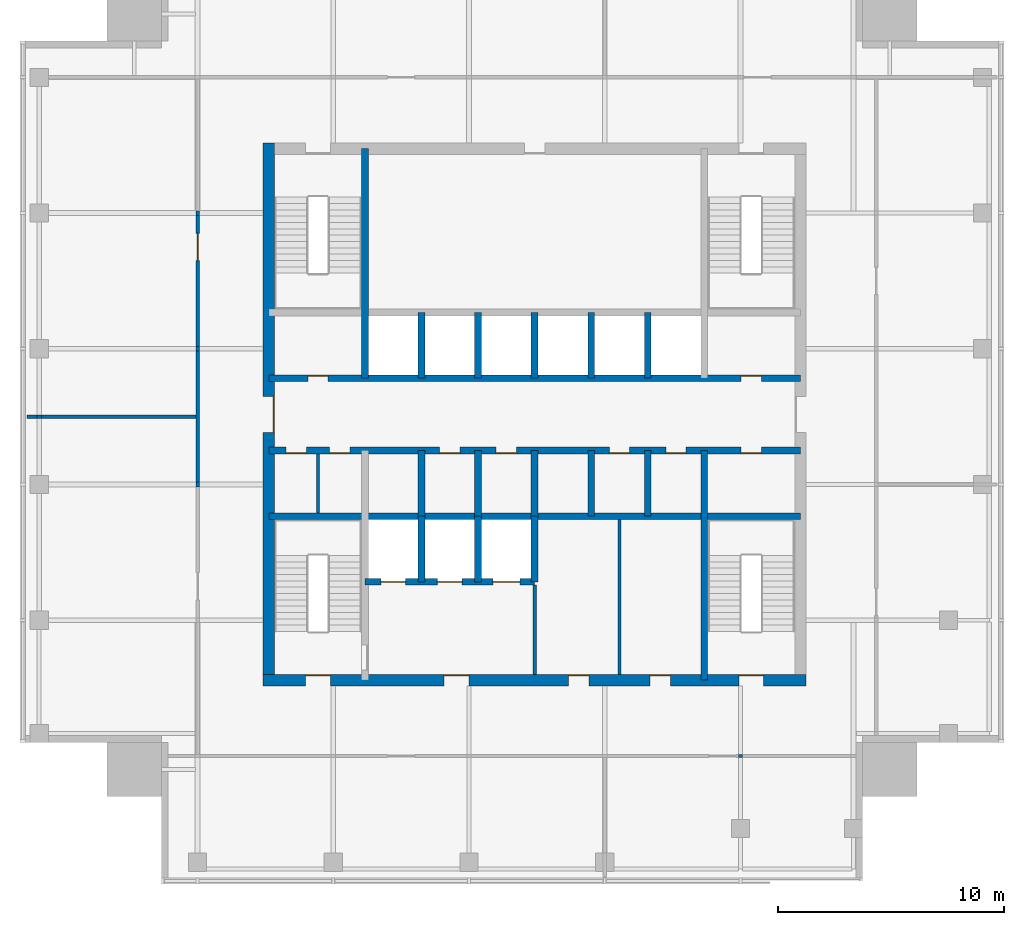
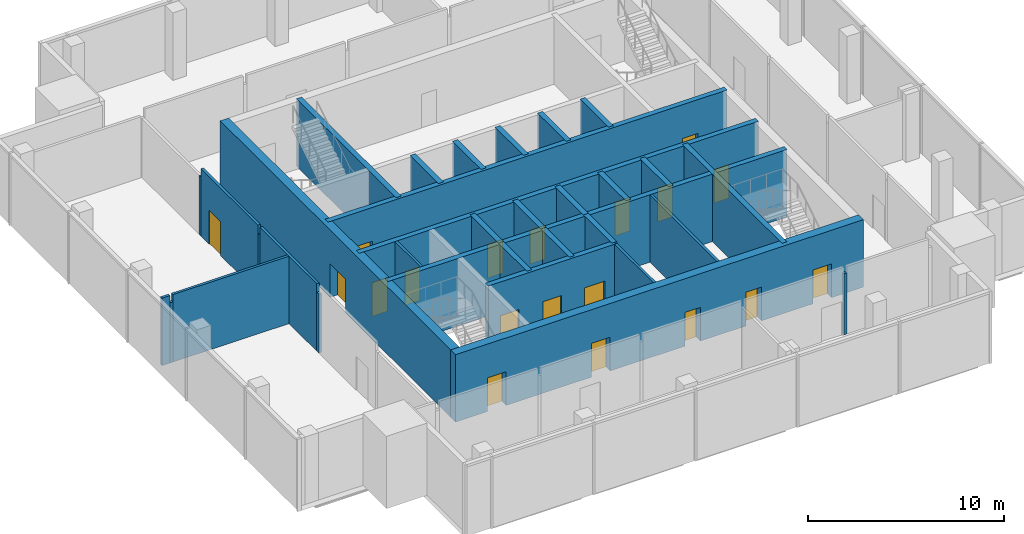
# One storey, part 4 of 7: 33 walls, 19 doors, 19 openings.
"""IFC4 building model written with IfcOpenShell, lengths in metres."""

from ifc_helpers import new_model, si_unit, direction, frame, frame_2d, origin, place, context, subcontext, project, spatial, rectangle, extrude, material, layer, layer_set, type_object, element, fill, save


model = new_model("IFC4")

# Units and contexts
model_context = context("Model", 3, precision=1e-05, world=origin(), true_north=direction((0.0, 1.0)))
body_context = subcontext(model_context, "Body", "Model", "MODEL_VIEW")
ifc_project = project(units=[si_unit("LENGTHUNIT", "METRE"), si_unit("AREAUNIT", "SQUARE_METRE"), si_unit("VOLUMEUNIT", "CUBIC_METRE"), si_unit("PLANEANGLEUNIT", "RADIAN"), si_unit("MASSUNIT", "GRAM", prefix="KILO")], contexts=[model_context])

# Site, building, storey
site_placement = place(None, origin())
site = spatial("IfcSite", under=ifc_project, at=site_placement, CompositionType="ELEMENT")
building_placement = place(site_placement, origin())
building = spatial("IfcBuilding", under=site, at=building_placement, Name="Amberfall Residences", CompositionType="ELEMENT")
storey_placement = place(building_placement, frame((0.0, 0.0, 281.800048828125)))
storey = spatial("IfcBuildingStorey", under=building, at=storey_placement, Name="L76 Crown", CompositionType="ELEMENT", Elevation=281.800048828125)

# Wall
ifc_material_1 = material(Name="Concrete C50", Category="concrete")
ifc_layer_1 = layer(ifc_material_1, 0.300048828125)
ifc_layer_set_1 = layer_set([ifc_layer_1], Name="Core wall 300 C50")
wall_type_1 = type_object("IfcWallType", Name="Core wall 300 C50", PredefinedType="SHEAR", material=ifc_layer_set_1)
wall_1_placement = place(storey_placement, frame((62.75, 41.0, 0.0), z_axis=(0.0, 0.0, 1.0), x_axis=(1.0, 0.0, 0.0)))
element("IfcWall", 1, at=wall_1_placement, inside=storey, type_object=wall_type_1, Name="Core wall RW10 L76 Crown H75", PredefinedType="SHEAR", context=body_context, shape_type="SweptSolid", body=[
    extrude(rectangle(XDim=23.5, YDim=0.300048828125, at=frame_2d((11.75, 0.0))), origin(), (0.0, 0.0, 1.0), 4.199951171875),
])

# Wall, openings, doors
wall_2_placement = place(storey_placement, frame((62.75, 43.89990234375, 0.0), z_axis=(0.0, 0.0, 1.0), x_axis=(1.0, 0.0, 0.0)))
wall_2 = element("IfcWall", 2, at=wall_2_placement, inside=storey, type_object=wall_type_1, Name="Core wall RW10 L76 Crown H104", PredefinedType="SHEAR", context=body_context, shape_type="SweptSolid", body=[
    extrude(rectangle(XDim=23.5, YDim=0.300048828125, at=frame_2d((11.75, 0.0))), origin(), (0.0, 0.0, 1.0), 4.199951171875),
])
opening_1_placement = place(wall_2_placement, frame((0.762451171875, 0.0, 0.0)))
opening_1 = element("IfcOpeningElement", 3, at=opening_1_placement, cuts=wall_2, Name="Opening RD1", PredefinedType="OPENING", context=body_context, shape_type="SweptSolid", body=[
    extrude(rectangle(XDim=0.89990234375, YDim=2.10009765625, at=frame_2d((0.449951171875, 1.050048828125))), frame((0.0, 0.159912109375, 0.0), z_axis=(0.0, -1.0, 0.0), x_axis=(1.0, 0.0, 0.0)), (0.0, 0.0, 1.0), 0.320068359375),
])
opening_2_placement = place(wall_2_placement, frame((2.6875, 0.0, 0.0)))
opening_2 = element("IfcOpeningElement", 4, at=opening_2_placement, cuts=wall_2, Name="Opening RD1", PredefinedType="OPENING", context=body_context, shape_type="SweptSolid", body=[
    extrude(rectangle(XDim=0.89990234375, YDim=2.10009765625, at=frame_2d((0.449951171875, 1.050048828125))), frame((0.0, 0.159912109375, 0.0), z_axis=(0.0, -1.0, 0.0), x_axis=(1.0, 0.0, 0.0)), (0.0, 0.0, 1.0), 0.320068359375),
])
opening_3_placement = place(wall_2_placement, frame((20.875, 0.0, 0.0)))
opening_3 = element("IfcOpeningElement", 5, at=opening_3_placement, cuts=wall_2, Name="Opening RD1", PredefinedType="OPENING", context=body_context, shape_type="SweptSolid", body=[
    extrude(rectangle(XDim=0.89990234375, YDim=2.10009765625, at=frame_2d((0.449951171875, 1.050048828125))), frame((0.0, 0.159912109375, 0.0), z_axis=(0.0, -1.0, 0.0), x_axis=(1.0, 0.0, 0.0)), (0.0, 0.0, 1.0), 0.320068359375),
])
opening_4_placement = place(wall_2_placement, frame((7.550048828125, 0.0, 0.0)))
opening_4 = element("IfcOpeningElement", 6, at=opening_4_placement, cuts=wall_2, Name="Opening RD1", PredefinedType="OPENING", context=body_context, shape_type="SweptSolid", body=[
    extrude(rectangle(XDim=0.89990234375, YDim=2.10009765625, at=frame_2d((0.449951171875, 1.050048828125))), frame((0.0, 0.159912109375, 0.0), z_axis=(0.0, -1.0, 0.0), x_axis=(1.0, 0.0, 0.0)), (0.0, 0.0, 1.0), 0.320068359375),
])
opening_5_placement = place(wall_2_placement, frame((10.050048828125, 0.0, 0.0)))
opening_5 = element("IfcOpeningElement", 7, at=opening_5_placement, cuts=wall_2, Name="Opening RD1", PredefinedType="OPENING", context=body_context, shape_type="SweptSolid", body=[
    extrude(rectangle(XDim=0.89990234375, YDim=2.10009765625, at=frame_2d((0.449951171875, 1.050048828125))), frame((0.0, 0.159912109375, 0.0), z_axis=(0.0, -1.0, 0.0), x_axis=(1.0, 0.0, 0.0)), (0.0, 0.0, 1.0), 0.320068359375),
])
opening_6_placement = place(wall_2_placement, frame((15.050048828125, 0.0, 0.0)))
opening_6 = element("IfcOpeningElement", 8, at=opening_6_placement, cuts=wall_2, Name="Opening RD1", PredefinedType="OPENING", context=body_context, shape_type="SweptSolid", body=[
    extrude(rectangle(XDim=0.89990234375, YDim=2.10009765625, at=frame_2d((0.449951171875, 1.050048828125))), frame((0.0, 0.159912109375, 0.0), z_axis=(0.0, -1.0, 0.0), x_axis=(1.0, 0.0, 0.0)), (0.0, 0.0, 1.0), 0.320068359375),
])
opening_7_placement = place(wall_2_placement, frame((17.550048828125, 0.0, 0.0)))
opening_7 = element("IfcOpeningElement", 9, at=opening_7_placement, cuts=wall_2, Name="Opening RD1", PredefinedType="OPENING", context=body_context, shape_type="SweptSolid", body=[
    extrude(rectangle(XDim=0.89990234375, YDim=2.10009765625, at=frame_2d((0.449951171875, 1.050048828125))), frame((0.0, 0.159912109375, 0.0), z_axis=(0.0, -1.0, 0.0), x_axis=(1.0, 0.0, 0.0)), (0.0, 0.0, 1.0), 0.320068359375),
])
ifc_material_2 = material(Name="Steel fire door set", Category="steel")
door_type_1 = type_object("IfcDoorType", Name="Service room door 900 x 2100", OperationType="SINGLE_SWING_LEFT", PredefinedType="DOOR", material=ifc_material_2)
door_1_placement = place(opening_1_placement, origin())
door_1 = element("IfcDoor", 10, at=door_1_placement, inside=storey, type_object=door_type_1, Name="RD1 L76 Crown", OperationType="SINGLE_SWING_LEFT", OverallHeight=2.10009765625, OverallWidth=0.89990234375, PredefinedType="DOOR", context=body_context, shape_type="SweptSolid", body=[
    extrude(rectangle(XDim=0.89990234375, YDim=2.10009765625, at=frame_2d((0.449951171875, 1.050048828125))), frame((0.0, -0.08740234375, 0.0), z_axis=(0.0, -1.0, 0.0), x_axis=(1.0, 0.0, 0.0)), (0.0, 0.0, 1.0), 0.050048828125),
])
fill(opening_1, door_1)
door_2_placement = place(opening_2_placement, origin())
door_2 = element("IfcDoor", 11, at=door_2_placement, inside=storey, type_object=door_type_1, Name="RD1 L76 Crown", OperationType="SINGLE_SWING_RIGHT", OverallHeight=2.10009765625, OverallWidth=0.89990234375, PredefinedType="DOOR", context=body_context, shape_type="SweptSolid", body=[
    extrude(rectangle(XDim=0.89990234375, YDim=2.10009765625, at=frame_2d((0.449951171875, 1.050048828125))), frame((0.0, -0.08740234375, 0.0), z_axis=(0.0, -1.0, 0.0), x_axis=(1.0, 0.0, 0.0)), (0.0, 0.0, 1.0), 0.050048828125),
])
fill(opening_2, door_2)
door_3_placement = place(opening_3_placement, origin())
door_3 = element("IfcDoor", 12, at=door_3_placement, inside=storey, type_object=door_type_1, Name="RD1 L76 Crown", OperationType="SINGLE_SWING_LEFT", OverallHeight=2.10009765625, OverallWidth=0.89990234375, PredefinedType="DOOR", context=body_context, shape_type="SweptSolid", body=[
    extrude(rectangle(XDim=0.89990234375, YDim=2.10009765625, at=frame_2d((0.449951171875, 1.050048828125))), frame((0.0, -0.08740234375, 0.0), z_axis=(0.0, -1.0, 0.0), x_axis=(1.0, 0.0, 0.0)), (0.0, 0.0, 1.0), 0.050048828125),
])
fill(opening_3, door_3)
door_4_placement = place(opening_4_placement, origin())
door_4 = element("IfcDoor", 13, at=door_4_placement, inside=storey, type_object=door_type_1, Name="RD1 L76 Crown", OperationType="SINGLE_SWING_LEFT", OverallHeight=2.10009765625, OverallWidth=0.89990234375, PredefinedType="DOOR", context=body_context, shape_type="SweptSolid", body=[
    extrude(rectangle(XDim=0.89990234375, YDim=2.10009765625, at=frame_2d((0.449951171875, 1.050048828125))), frame((0.0, -0.08740234375, 0.0), z_axis=(0.0, -1.0, 0.0), x_axis=(1.0, 0.0, 0.0)), (0.0, 0.0, 1.0), 0.050048828125),
])
fill(opening_4, door_4)
door_5_placement = place(opening_5_placement, origin())
door_5 = element("IfcDoor", 14, at=door_5_placement, inside=storey, type_object=door_type_1, Name="RD1 L76 Crown", OperationType="SINGLE_SWING_RIGHT", OverallHeight=2.10009765625, OverallWidth=0.89990234375, PredefinedType="DOOR", context=body_context, shape_type="SweptSolid", body=[
    extrude(rectangle(XDim=0.89990234375, YDim=2.10009765625, at=frame_2d((0.449951171875, 1.050048828125))), frame((0.0, -0.08740234375, 0.0), z_axis=(0.0, -1.0, 0.0), x_axis=(1.0, 0.0, 0.0)), (0.0, 0.0, 1.0), 0.050048828125),
])
fill(opening_5, door_5)
door_6_placement = place(opening_6_placement, origin())
door_6 = element("IfcDoor", 15, at=door_6_placement, inside=storey, type_object=door_type_1, Name="RD1 L76 Crown", OperationType="SINGLE_SWING_RIGHT", OverallHeight=2.10009765625, OverallWidth=0.89990234375, PredefinedType="DOOR", context=body_context, shape_type="SweptSolid", body=[
    extrude(rectangle(XDim=0.89990234375, YDim=2.10009765625, at=frame_2d((0.449951171875, 1.050048828125))), frame((0.0, -0.08740234375, 0.0), z_axis=(0.0, -1.0, 0.0), x_axis=(1.0, 0.0, 0.0)), (0.0, 0.0, 1.0), 0.050048828125),
])
fill(opening_6, door_6)
door_7_placement = place(opening_7_placement, origin())
door_7 = element("IfcDoor", 16, at=door_7_placement, inside=storey, type_object=door_type_1, Name="RD1 L76 Crown", OperationType="SINGLE_SWING_LEFT", OverallHeight=2.10009765625, OverallWidth=0.89990234375, PredefinedType="DOOR", context=body_context, shape_type="SweptSolid", body=[
    extrude(rectangle(XDim=0.89990234375, YDim=2.10009765625, at=frame_2d((0.449951171875, 1.050048828125))), frame((0.0, -0.08740234375, 0.0), z_axis=(0.0, -1.0, 0.0), x_axis=(1.0, 0.0, 0.0)), (0.0, 0.0, 1.0), 0.050048828125),
])
fill(opening_7, door_7)

wall_3_placement = place(storey_placement, frame((62.75, 47.10009765625, 0.0), z_axis=(0.0, 0.0, 1.0), x_axis=(1.0, 0.0, 0.0)))
wall_3 = element("IfcWall", 17, at=wall_3_placement, inside=storey, type_object=wall_type_1, Name="Core wall RW10 L76 Crown H136", PredefinedType="SHEAR", context=body_context, shape_type="SweptSolid", body=[
    extrude(rectangle(XDim=23.5, YDim=0.300048828125, at=frame_2d((11.75, 0.0))), origin(), (0.0, 0.0, 1.0), 4.199951171875),
])
opening_8_placement = place(wall_3_placement, frame((1.72509765625, 0.0, 0.0)))
opening_8 = element("IfcOpeningElement", 18, at=opening_8_placement, cuts=wall_3, Name="Opening RD1", PredefinedType="OPENING", context=body_context, shape_type="SweptSolid", body=[
    extrude(rectangle(XDim=0.89990234375, YDim=2.10009765625, at=frame_2d((0.449951171875, 1.050048828125))), frame((0.0, 0.159912109375, 0.0), z_axis=(0.0, -1.0, 0.0), x_axis=(1.0, 0.0, 0.0)), (0.0, 0.0, 1.0), 0.320068359375),
])
opening_9_placement = place(wall_3_placement, frame((20.875, 0.0, 0.0)))
opening_9 = element("IfcOpeningElement", 19, at=opening_9_placement, cuts=wall_3, Name="Opening RD1", PredefinedType="OPENING", context=body_context, shape_type="SweptSolid", body=[
    extrude(rectangle(XDim=0.89990234375, YDim=2.10009765625, at=frame_2d((0.449951171875, 1.050048828125))), frame((0.0, 0.159912109375, 0.0), z_axis=(0.0, -1.0, 0.0), x_axis=(1.0, 0.0, 0.0)), (0.0, 0.0, 1.0), 0.320068359375),
])
door_8_placement = place(opening_8_placement, origin())
door_8 = element("IfcDoor", 20, at=door_8_placement, inside=storey, type_object=door_type_1, Name="RD1 L76 Crown", OperationType="SINGLE_SWING_LEFT", OverallHeight=2.10009765625, OverallWidth=0.89990234375, PredefinedType="DOOR", context=body_context, shape_type="SweptSolid", body=[
    extrude(rectangle(XDim=0.89990234375, YDim=2.10009765625, at=frame_2d((0.449951171875, 1.050048828125))), frame((0.0, 0.1376953125, 0.0), z_axis=(0.0, -1.0, 0.0), x_axis=(1.0, 0.0, 0.0)), (0.0, 0.0, 1.0), 0.050048828125),
])
fill(opening_8, door_8)
door_9_placement = place(opening_9_placement, origin())
door_9 = element("IfcDoor", 21, at=door_9_placement, inside=storey, type_object=door_type_1, Name="RD1 L76 Crown", OperationType="SINGLE_SWING_LEFT", OverallHeight=2.10009765625, OverallWidth=0.89990234375, PredefinedType="DOOR", context=body_context, shape_type="SweptSolid", body=[
    extrude(rectangle(XDim=0.89990234375, YDim=2.10009765625, at=frame_2d((0.449951171875, 1.050048828125))), frame((0.0, 0.1376953125, 0.0), z_axis=(0.0, -1.0, 0.0), x_axis=(1.0, 0.0, 0.0)), (0.0, 0.0, 1.0), 0.050048828125),
])
fill(opening_9, door_9)

# Walls
for number, where, z_axis, x_axis, name in (
    (22, (67.0, 47.10009765625, 0.0), (0.0, 0.0, 1.0), (0.0, 1.0, 0.0), "Core wall RW10 L76 Crown V45N"),
    (23, (82.0, 33.75, 0.0), (0.0, 0.0, 1.0), (0.0, 1.0, 0.0), "Core wall RW10 L76 Crown V195S"),
):
    element("IfcWall", number, at=place(storey_placement, frame(where, z_axis=z_axis, x_axis=x_axis)), inside=storey, type_object=wall_type_1, Name=name, PredefinedType="SHEAR", context=body_context, shape_type="SweptSolid", body=[
        extrude(rectangle(XDim=10.14990234375, YDim=0.300048828125, at=frame_2d((5.074951171875, 0.0))), origin(), (0.0, 0.0, 1.0), 4.199951171875),
    ])
for number, where, z_axis, x_axis, name in (
    (24, (69.5, 41.0, 0.0), (0.0, 0.0, 1.0), (0.0, 1.0, 0.0), "Core wall RW10 L76 Crown LPD1"),
    (25, (69.5, 47.10009765625, 0.0), (0.0, 0.0, 1.0), (0.0, 1.0, 0.0), "Core wall RW10 L76 Crown HPD1"),
    (26, (72.0, 41.0, 0.0), (0.0, 0.0, 1.0), (0.0, 1.0, 0.0), "Core wall RW10 L76 Crown LPD2"),
    (27, (72.0, 47.10009765625, 0.0), (0.0, 0.0, 1.0), (0.0, 1.0, 0.0), "Core wall RW10 L76 Crown HPD2"),
    (28, (74.5, 41.0, 0.0), (0.0, 0.0, 1.0), (0.0, 1.0, 0.0), "Core wall RW10 L76 Crown LPD3"),
    (29, (74.5, 47.10009765625, 0.0), (0.0, 0.0, 1.0), (0.0, 1.0, 0.0), "Core wall RW10 L76 Crown HPD3"),
    (30, (77.0, 41.0, 0.0), (0.0, 0.0, 1.0), (0.0, 1.0, 0.0), "Core wall RW10 L76 Crown LPD4"),
    (31, (77.0, 47.10009765625, 0.0), (0.0, 0.0, 1.0), (0.0, 1.0, 0.0), "Core wall RW10 L76 Crown HPD4"),
    (32, (79.5, 41.0, 0.0), (0.0, 0.0, 1.0), (0.0, 1.0, 0.0), "Core wall RW10 L76 Crown LPD5"),
    (33, (79.5, 47.10009765625, 0.0), (0.0, 0.0, 1.0), (0.0, 1.0, 0.0), "Core wall RW10 L76 Crown HPD5"),
):
    element("IfcWall", number, at=place(storey_placement, frame(where, z_axis=z_axis, x_axis=x_axis)), inside=storey, type_object=wall_type_1, Name=name, PredefinedType="SHEAR", context=body_context, shape_type="SweptSolid", body=[
        extrude(rectangle(XDim=2.89990234375, YDim=0.300048828125, at=frame_2d((1.449951171875, 0.0))), origin(), (0.0, 0.0, 1.0), 4.199951171875),
    ])

# Wall, openings, doors
wall_4_placement = place(storey_placement, frame((67.0, 38.10009765625, 0.0), z_axis=(0.0, 0.0, 1.0), x_axis=(1.0, 0.0, 0.0)))
wall_4 = element("IfcWall", 34, at=wall_4_placement, inside=storey, type_object=wall_type_1, Name="Core wall RW10 L76 Crown FFF", PredefinedType="SHEAR", context=body_context, shape_type="SweptSolid", body=[
    extrude(rectangle(XDim=7.5, YDim=0.300048828125, at=frame_2d((3.75, 0.0))), origin(), (0.0, 0.0, 1.0), 4.199951171875),
])
opening_10_placement = place(wall_4_placement, frame((0.699951171875, 0.0, 0.0)))
opening_10 = element("IfcOpeningElement", 35, at=opening_10_placement, cuts=wall_4, Name="Opening LD2", PredefinedType="OPENING", context=body_context, shape_type="SweptSolid", body=[
    extrude(rectangle(XDim=1.10009765625, YDim=2.10009765625, at=frame_2d((0.550048828125, 1.050048828125))), frame((0.0, 0.159912109375, 0.0), z_axis=(0.0, -1.0, 0.0), x_axis=(1.0, 0.0, 0.0)), (0.0, 0.0, 1.0), 0.320068359375),
])
opening_11_placement = place(wall_4_placement, frame((3.199951171875, 0.0, 0.0)))
opening_11 = element("IfcOpeningElement", 36, at=opening_11_placement, cuts=wall_4, Name="Opening LD2", PredefinedType="OPENING", context=body_context, shape_type="SweptSolid", body=[
    extrude(rectangle(XDim=1.10009765625, YDim=2.10009765625, at=frame_2d((0.550048828125, 1.050048828125))), frame((0.0, 0.159912109375, 0.0), z_axis=(0.0, -1.0, 0.0), x_axis=(1.0, 0.0, 0.0)), (0.0, 0.0, 1.0), 0.320068359375),
])
opening_12_placement = place(wall_4_placement, frame((5.64990234375, 0.0, 0.0)))
opening_12 = element("IfcOpeningElement", 37, at=opening_12_placement, cuts=wall_4, Name="Opening LD3", PredefinedType="OPENING", context=body_context, shape_type="SweptSolid", body=[
    extrude(rectangle(XDim=1.199951171875, YDim=2.10009765625, at=frame_2d((0.60009765625, 1.050048828125))), frame((0.0, 0.159912109375, 0.0), z_axis=(0.0, -1.0, 0.0), x_axis=(1.0, 0.0, 0.0)), (0.0, 0.0, 1.0), 0.320068359375),
])
door_type_2 = type_object("IfcDoorType", Name="Firefighting lift landing door 1100 x 2100", OperationType="DOUBLE_DOOR_SLIDING", PredefinedType="DOOR", material=ifc_material_2)
door_10_placement = place(opening_10_placement, origin())
door_10 = element("IfcDoor", 38, at=door_10_placement, inside=storey, type_object=door_type_2, Name="Landing door FF1 L76 Crown", OperationType="DOUBLE_DOOR_SLIDING", OverallHeight=2.10009765625, OverallWidth=1.10009765625, PredefinedType="DOOR", context=body_context, shape_type="SweptSolid", body=[
    extrude(rectangle(XDim=1.10009765625, YDim=2.10009765625, at=frame_2d((0.550048828125, 1.050048828125))), frame((0.0, 0.02490234375, 0.0), z_axis=(0.0, -1.0, 0.0), x_axis=(1.0, 0.0, 0.0)), (0.0, 0.0, 1.0), 0.050048828125),
])
fill(opening_10, door_10)
door_11_placement = place(opening_11_placement, origin())
door_11 = element("IfcDoor", 39, at=door_11_placement, inside=storey, type_object=door_type_2, Name="Landing door FF2 L76 Crown", OperationType="DOUBLE_DOOR_SLIDING", OverallHeight=2.10009765625, OverallWidth=1.10009765625, PredefinedType="DOOR", context=body_context, shape_type="SweptSolid", body=[
    extrude(rectangle(XDim=1.10009765625, YDim=2.10009765625, at=frame_2d((0.550048828125, 1.050048828125))), frame((0.0, 0.02490234375, 0.0), z_axis=(0.0, -1.0, 0.0), x_axis=(1.0, 0.0, 0.0)), (0.0, 0.0, 1.0), 0.050048828125),
])
fill(opening_11, door_11)
door_type_3 = type_object("IfcDoorType", Name="Service lift landing door 1200 x 2100", OperationType="DOUBLE_DOOR_SLIDING", PredefinedType="DOOR", material=ifc_material_2)
door_12_placement = place(opening_12_placement, origin())
door_12 = element("IfcDoor", 40, at=door_12_placement, inside=storey, type_object=door_type_3, Name="Landing door SL1 L76 Crown", OperationType="DOUBLE_DOOR_SLIDING", OverallHeight=2.10009765625, OverallWidth=1.199951171875, PredefinedType="DOOR", context=body_context, shape_type="SweptSolid", body=[
    extrude(rectangle(XDim=1.199951171875, YDim=2.10009765625, at=frame_2d((0.60009765625, 1.050048828125))), frame((0.0, 0.02490234375, 0.0), z_axis=(0.0, -1.0, 0.0), x_axis=(1.0, 0.0, 0.0)), (0.0, 0.0, 1.0), 0.050048828125),
])
fill(opening_12, door_12)

# Walls
for number, where, z_axis, x_axis, name in (
    (41, (69.5, 38.10009765625, 0.0), (0.0, 0.0, 1.0), (0.0, 1.0, 0.0), "Core wall RW10 L76 Crown FFD1"),
    (42, (72.0, 38.10009765625, 0.0), (0.0, 0.0, 1.0), (0.0, 1.0, 0.0), "Core wall RW10 L76 Crown FFD2"),
    (43, (74.5, 38.10009765625, 0.0), (0.0, 0.0, 1.0), (0.0, 1.0, 0.0), "Core wall RW10 L76 Crown FFD3"),
):
    element("IfcWall", number, at=place(storey_placement, frame(where, z_axis=z_axis, x_axis=x_axis)), inside=storey, type_object=wall_type_1, Name=name, PredefinedType="SHEAR", context=body_context, shape_type="SweptSolid", body=[
        extrude(rectangle(XDim=2.89990234375, YDim=0.300048828125, at=frame_2d((1.449951171875, 0.0))), origin(), (0.0, 0.0, 1.0), 4.199951171875),
    ])

# Wall, openings, doors
ifc_layer_2 = layer(ifc_material_1, 0.5)
ifc_layer_set_2 = layer_set([ifc_layer_2], Name="Core wall 500 C50")
wall_type_2 = type_object("IfcWallType", Name="Core wall 500 C50", PredefinedType="SHEAR", material=ifc_layer_set_2)
wall_5_placement = place(storey_placement, frame((62.5, 33.75, 0.0), z_axis=(0.0, 0.0, 1.0), x_axis=(1.0, 0.0, 0.0)))
wall_5 = element("IfcWall", 44, at=wall_5_placement, inside=storey, type_object=wall_type_2, Name="Core wall RW9 L76 Crown OS", PredefinedType="SHEAR", context=body_context, shape_type="SweptSolid", body=[
    extrude(rectangle(XDim=24.0, YDim=0.5, at=frame_2d((12.0, 0.0))), origin(), (0.0, 0.0, 1.0), 4.199951171875),
])
opening_13_placement = place(wall_5_placement, frame((1.875, 0.0, 0.0)))
opening_13 = element("IfcOpeningElement", 45, at=opening_13_placement, cuts=wall_5, Name="Opening SD1", PredefinedType="OPENING", context=body_context, shape_type="SweptSolid", body=[
    extrude(rectangle(XDim=1.10009765625, YDim=2.10009765625, at=frame_2d((0.550048828125, 1.050048828125))), frame((0.0, 0.260009765625, 0.0), z_axis=(0.0, -1.0, 0.0), x_axis=(1.0, 0.0, 0.0)), (0.0, 0.0, 1.0), 0.52001953125),
])
opening_14_placement = place(wall_5_placement, frame((21.02490234375, 0.0, 0.0)))
opening_14 = element("IfcOpeningElement", 46, at=opening_14_placement, cuts=wall_5, Name="Opening SD1", PredefinedType="OPENING", context=body_context, shape_type="SweptSolid", body=[
    extrude(rectangle(XDim=1.10009765625, YDim=2.10009765625, at=frame_2d((0.550048828125, 1.050048828125))), frame((0.0, 0.260009765625, 0.0), z_axis=(0.0, -1.0, 0.0), x_axis=(1.0, 0.0, 0.0)), (0.0, 0.0, 1.0), 0.52001953125),
])
opening_15_placement = place(wall_5_placement, frame((8.0, 0.0, 0.0)))
opening_15 = element("IfcOpeningElement", 47, at=opening_15_placement, cuts=wall_5, Name="Opening FL1", PredefinedType="OPENING", context=body_context, shape_type="SweptSolid", body=[
    extrude(rectangle(XDim=1.10009765625, YDim=2.10009765625, at=frame_2d((0.550048828125, 1.050048828125))), frame((0.0, 0.260009765625, 0.0), z_axis=(0.0, -1.0, 0.0), x_axis=(1.0, 0.0, 0.0)), (0.0, 0.0, 1.0), 0.52001953125),
])
opening_16_placement = place(wall_5_placement, frame((13.5, 0.0, 0.0)))
opening_16 = element("IfcOpeningElement", 48, at=opening_16_placement, cuts=wall_5, Name="Opening RD1", PredefinedType="OPENING", context=body_context, shape_type="SweptSolid", body=[
    extrude(rectangle(XDim=0.89990234375, YDim=2.10009765625, at=frame_2d((0.449951171875, 1.050048828125))), frame((0.0, 0.260009765625, 0.0), z_axis=(0.0, -1.0, 0.0), x_axis=(1.0, 0.0, 0.0)), (0.0, 0.0, 1.0), 0.52001953125),
])
opening_17_placement = place(wall_5_placement, frame((17.10009765625, 0.0, 0.0)))
opening_17 = element("IfcOpeningElement", 49, at=opening_17_placement, cuts=wall_5, Name="Opening RD1", PredefinedType="OPENING", context=body_context, shape_type="SweptSolid", body=[
    extrude(rectangle(XDim=0.89990234375, YDim=2.10009765625, at=frame_2d((0.449951171875, 1.050048828125))), frame((0.0, 0.260009765625, 0.0), z_axis=(0.0, -1.0, 0.0), x_axis=(1.0, 0.0, 0.0)), (0.0, 0.0, 1.0), 0.52001953125),
])
door_type_4 = type_object("IfcDoorType", Name="Firefighting lobby door 1100 x 2100", OperationType="SINGLE_SWING_LEFT", PredefinedType="DOOR", material=ifc_material_2)
door_13_placement = place(opening_15_placement, origin())
door_13 = element("IfcDoor", 50, at=door_13_placement, inside=storey, type_object=door_type_4, Name="FL1 L76 Crown", OperationType="SINGLE_SWING_LEFT", OverallHeight=2.10009765625, OverallWidth=1.10009765625, PredefinedType="DOOR", context=body_context, shape_type="SweptSolid", body=[
    extrude(rectangle(XDim=1.10009765625, YDim=2.10009765625, at=frame_2d((0.550048828125, 1.050048828125))), frame((0.0, 0.2373046875, 0.0), z_axis=(0.0, -1.0, 0.0), x_axis=(1.0, 0.0, 0.0)), (0.0, 0.0, 1.0), 0.050048828125),
])
fill(opening_15, door_13)
door_14_placement = place(opening_16_placement, origin())
door_14 = element("IfcDoor", 51, at=door_14_placement, inside=storey, type_object=door_type_1, Name="RD1 L76 Crown", OperationType="SINGLE_SWING_LEFT", OverallHeight=2.10009765625, OverallWidth=0.89990234375, PredefinedType="DOOR", context=body_context, shape_type="SweptSolid", body=[
    extrude(rectangle(XDim=0.89990234375, YDim=2.10009765625, at=frame_2d((0.449951171875, 1.050048828125))), frame((0.0, 0.2373046875, 0.0), z_axis=(0.0, -1.0, 0.0), x_axis=(1.0, 0.0, 0.0)), (0.0, 0.0, 1.0), 0.050048828125),
])
fill(opening_16, door_14)
door_15_placement = place(opening_17_placement, origin())
door_15 = element("IfcDoor", 52, at=door_15_placement, inside=storey, type_object=door_type_1, Name="RD1 L76 Crown", OperationType="SINGLE_SWING_LEFT", OverallHeight=2.10009765625, OverallWidth=0.89990234375, PredefinedType="DOOR", context=body_context, shape_type="SweptSolid", body=[
    extrude(rectangle(XDim=0.89990234375, YDim=2.10009765625, at=frame_2d((0.449951171875, 1.050048828125))), frame((0.0, 0.2373046875, 0.0), z_axis=(0.0, -1.0, 0.0), x_axis=(1.0, 0.0, 0.0)), (0.0, 0.0, 1.0), 0.050048828125),
])
fill(opening_17, door_15)
door_type_5 = type_object("IfcDoorType", Name="Stair door 1100 x 2100", OperationType="SINGLE_SWING_LEFT", PredefinedType="DOOR", material=ifc_material_2)
door_16_placement = place(opening_13_placement, origin())
door_16 = element("IfcDoor", 53, at=door_16_placement, inside=storey, type_object=door_type_5, Name="SD1 L76 Crown", OperationType="SINGLE_SWING_LEFT", OverallHeight=2.10009765625, OverallWidth=1.10009765625, PredefinedType="DOOR", context=body_context, shape_type="SweptSolid", body=[
    extrude(rectangle(XDim=1.10009765625, YDim=2.10009765625, at=frame_2d((0.550048828125, 1.050048828125))), frame((0.0, 0.2373046875, 0.0), z_axis=(0.0, -1.0, 0.0), x_axis=(1.0, 0.0, 0.0)), (0.0, 0.0, 1.0), 0.050048828125),
])
fill(opening_13, door_16)
door_17_placement = place(opening_14_placement, origin())
door_17 = element("IfcDoor", 54, at=door_17_placement, inside=storey, type_object=door_type_5, Name="SD1 L76 Crown", OperationType="SINGLE_SWING_RIGHT", OverallHeight=2.10009765625, OverallWidth=1.10009765625, PredefinedType="DOOR", context=body_context, shape_type="SweptSolid", body=[
    extrude(rectangle(XDim=1.10009765625, YDim=2.10009765625, at=frame_2d((0.550048828125, 1.050048828125))), frame((0.0, 0.2373046875, 0.0), z_axis=(0.0, -1.0, 0.0), x_axis=(1.0, 0.0, 0.0)), (0.0, 0.0, 1.0), 0.050048828125),
])
fill(opening_14, door_17)

# Wall, opening, door
wall_6_placement = place(storey_placement, frame((62.75, 33.5, 0.0), z_axis=(0.0, 0.0, 1.0), x_axis=(0.0, 1.0, 0.0)))
wall_6 = element("IfcWall", 55, at=wall_6_placement, inside=storey, type_object=wall_type_2, Name="Core wall RW9 L76 Crown OW", PredefinedType="SHEAR", context=body_context, shape_type="SweptSolid", body=[
    extrude(rectangle(XDim=24.0, YDim=0.5, at=frame_2d((12.0, 0.0))), origin(), (0.0, 0.0, 1.0), 4.199951171875),
])
opening_18_placement = place(wall_6_placement, frame((11.199951171875, 0.0, 0.0)))
opening_18 = element("IfcOpeningElement", 56, at=opening_18_placement, cuts=wall_6, Name="Opening LB1", PredefinedType="OPENING", context=body_context, shape_type="SweptSolid", body=[
    extrude(rectangle(XDim=1.60009765625, YDim=2.10009765625, at=frame_2d((0.800048828125, 1.050048828125))), frame((0.0, 0.260009765625, 0.0), z_axis=(0.0, -1.0, 0.0), x_axis=(1.0, 0.0, 0.0)), (0.0, 0.0, 1.0), 0.52001953125),
])
door_type_6 = type_object("IfcDoorType", Name="Lift lobby double door 1600 x 2100", OperationType="DOUBLE_DOOR_SINGLE_SWING", PredefinedType="DOOR", material=ifc_material_2)
door_18_placement = place(opening_18_placement, origin())
door_18 = element("IfcDoor", 57, at=door_18_placement, inside=storey, type_object=door_type_6, Name="LB1 L76 Crown", OperationType="DOUBLE_DOOR_SINGLE_SWING", OverallHeight=2.10009765625, OverallWidth=1.60009765625, PredefinedType="DOOR", context=body_context, shape_type="SweptSolid", body=[
    extrude(rectangle(XDim=1.60009765625, YDim=2.10009765625, at=frame_2d((0.800048828125, 1.050048828125))), frame((0.0, -0.1875, 0.0), z_axis=(0.0, -1.0, 0.0), x_axis=(1.0, 0.0, 0.0)), (0.0, 0.0, 1.0), 0.050048828125),
])
fill(opening_18, door_18)

# Walls
ifc_material_3 = material(Name="Fire-rated gypsum board on steel studs", Category="steel")
ifc_layer_3 = layer(ifc_material_3, 0.14990234375)
ifc_layer_set_3 = layer_set([ifc_layer_3], Name="Partition 150 fire-rated")
wall_type_3 = type_object("IfcWallType", Name="Partition 150 fire-rated", PredefinedType="PARTITIONING", material=ifc_layer_set_3)
wall_7_placement = place(storey_placement, frame((83.51123046875, 30.39990234375, 0.0), z_axis=(0.0, 0.0, 1.0), x_axis=(1.0, 0.0, 0.0)))
element("IfcWall", 58, at=wall_7_placement, inside=storey, type_object=wall_type_3, Name="Partition 150 fire-rated L76 Crown 010", PredefinedType="PARTITIONING", context=body_context, shape_type="SweptSolid", body=[
    extrude(rectangle(XDim=0.177490234375, YDim=0.14990234375, at=frame_2d((0.0888671875, 0.0))), origin(), (0.0, 0.0, 1.0), 3.796875),
])
wall_8_placement = place(storey_placement, frame((52.050048828125, 45.39990234375, 0.0), z_axis=(0.0, 0.0, 1.0), x_axis=(1.0, 0.0, 0.0)))
element("IfcWall", 59, at=wall_8_placement, inside=storey, type_object=wall_type_3, Name="Partition 150 fire-rated L76 Crown 015", PredefinedType="PARTITIONING", context=body_context, shape_type="SweptSolid", body=[
    extrude(rectangle(XDim=0.455078125, YDim=0.14990234375, at=frame_2d((0.2275390625, 0.0))), origin(), (0.0, 0.0, 1.0), 4.199951171875),
])
wall_9_placement = place(storey_placement, frame((52.505126953125, 45.39990234375, 0.0), z_axis=(0.0, 0.0, 1.0), x_axis=(1.0, 0.0, 0.0)))
element("IfcWall", 60, at=wall_9_placement, inside=storey, type_object=wall_type_3, Name="Partition 150 fire-rated L76 Crown 016", PredefinedType="PARTITIONING", context=body_context, shape_type="SweptSolid", body=[
    extrude(rectangle(XDim=0.189697265625, YDim=0.14990234375, at=frame_2d((0.0947265625, 0.0))), origin(), (0.0, 0.0, 1.0), 3.7470703125),
])
wall_10_placement = place(storey_placement, frame((52.69482421875, 45.39990234375, 0.0), z_axis=(0.0, 0.0, 1.0), x_axis=(1.0, 0.0, 0.0)))
element("IfcWall", 61, at=wall_10_placement, inside=storey, type_object=wall_type_3, Name="Partition 150 fire-rated L76 Crown 017", PredefinedType="PARTITIONING", context=body_context, shape_type="SweptSolid", body=[
    extrude(rectangle(XDim=6.830078125, YDim=0.14990234375, at=frame_2d((3.4150390625, 0.0))), origin(), (0.0, 0.0, 1.0), 4.199951171875),
])
wall_11_placement = place(storey_placement, frame((59.60009765625, 42.29541015625, 0.0), z_axis=(0.0, 0.0, 1.0), x_axis=(0.0, 1.0, 0.0)))
element("IfcWall", 62, at=wall_11_placement, inside=storey, type_object=wall_type_3, Name="Partition 150 fire-rated L76 Crown 035", PredefinedType="PARTITIONING", context=body_context, shape_type="SweptSolid", body=[
    extrude(rectangle(XDim=0.209228515625, YDim=0.14990234375, at=frame_2d((0.1044921875, 0.0))), origin(), (0.0, 0.0, 1.0), 3.6669921875),
])
wall_12_placement = place(storey_placement, frame((59.60009765625, 42.504638671875, 0.0), z_axis=(0.0, 0.0, 1.0), x_axis=(0.0, 1.0, 0.0)))
element("IfcWall", 63, at=wall_12_placement, inside=storey, type_object=wall_type_3, Name="Partition 150 fire-rated L76 Crown 036", PredefinedType="PARTITIONING", context=body_context, shape_type="SweptSolid", body=[
    extrude(rectangle(XDim=5.790771484375, YDim=0.14990234375, at=frame_2d((2.8955078125, 0.0))), origin(), (0.0, 0.0, 1.0), 4.199951171875),
])
wall_13_placement = place(storey_placement, frame((59.60009765625, 48.29541015625, 0.0), z_axis=(0.0, 0.0, 1.0), x_axis=(0.0, 1.0, 0.0)))
element("IfcWall", 64, at=wall_13_placement, inside=storey, type_object=wall_type_3, Name="Partition 150 fire-rated L76 Crown 037", PredefinedType="PARTITIONING", context=body_context, shape_type="SweptSolid", body=[
    extrude(rectangle(XDim=0.209228515625, YDim=0.14990234375, at=frame_2d((0.1044921875, 0.0))), origin(), (0.0, 0.0, 1.0), 3.6669921875),
])

# Wall, opening, door
wall_14_placement = place(storey_placement, frame((59.60009765625, 48.504638671875, 0.0), z_axis=(0.0, 0.0, 1.0), x_axis=(0.0, 1.0, 0.0)))
wall_14 = element("IfcWall", 65, at=wall_14_placement, inside=storey, type_object=wall_type_3, Name="Partition 150 fire-rated L76 Crown 038", PredefinedType="PARTITIONING", context=body_context, shape_type="SweptSolid", body=[
    extrude(rectangle(XDim=5.790771484375, YDim=0.14990234375, at=frame_2d((2.8955078125, 0.0))), origin(), (0.0, 0.0, 1.0), 4.199951171875),
])
opening_19_placement = place(wall_14_placement, frame((3.79541015625, 0.0, 0.0)))
opening_19 = element("IfcOpeningElement", 66, at=opening_19_placement, cuts=wall_14, Name="Opening D7", PredefinedType="OPENING", context=body_context, shape_type="SweptSolid", body=[
    extrude(rectangle(XDim=1.199951171875, YDim=2.10009765625, at=frame_2d((0.60009765625, 1.050048828125))), frame((0.0, 0.0849609375, 0.0), z_axis=(0.0, -1.0, 0.0), x_axis=(1.0, 0.0, 0.0)), (0.0, 0.0, 1.0), 0.169921875),
])
ifc_material_4 = material(Name="Steel fire door leaf", Category="steel")
door_type_7 = type_object("IfcDoorType", Name="Plant room door 1200x2100", OperationType="SINGLE_SWING_LEFT", PredefinedType="DOOR", material=ifc_material_4)
door_19_placement = place(opening_19_placement, origin())
door_19 = element("IfcDoor", 67, at=door_19_placement, inside=storey, type_object=door_type_7, Name="Door Ventilation plant room", OperationType="SINGLE_SWING_LEFT", OverallHeight=2.10009765625, OverallWidth=1.199951171875, PredefinedType="DOOR", context=body_context, shape_type="SweptSolid", body=[
    extrude(rectangle(XDim=1.199951171875, YDim=2.10009765625, at=frame_2d((0.60009765625, 1.050048828125))), frame((0.0, 0.02490234375, 0.0), z_axis=(0.0, -1.0, 0.0), x_axis=(1.0, 0.0, 0.0)), (0.0, 0.0, 1.0), 0.050048828125),
])
fill(opening_19, door_19)

# Walls
wall_15_placement = place(storey_placement, frame((59.60009765625, 54.29541015625, 0.0), z_axis=(0.0, 0.0, 1.0), x_axis=(0.0, 1.0, 0.0)))
element("IfcWall", 68, at=wall_15_placement, inside=storey, type_object=wall_type_3, Name="Partition 150 fire-rated L76 Crown 039", PredefinedType="PARTITIONING", context=body_context, shape_type="SweptSolid", body=[
    extrude(rectangle(XDim=0.2041015625, YDim=0.14990234375, at=frame_2d((0.10205078125, 0.0))), origin(), (0.0, 0.0, 1.0), 3.6669921875),
])
ifc_material_5 = material(Name="Concrete blockwork", Category="masonry")
ifc_layer_4 = layer(ifc_material_5, 0.14990234375)
ifc_layer_set_4 = layer_set([ifc_layer_4], Name="Riser wall 150")
wall_type_4 = type_object("IfcWallType", Name="Riser wall 150", PredefinedType="PLUMBINGWALL", material=ifc_layer_set_4)
wall_16_placement = place(storey_placement, frame((74.5, 34.0, 0.0), z_axis=(0.0, 0.0, 1.0), x_axis=(0.0, 1.0, 0.0)))
element("IfcWall", 69, at=wall_16_placement, inside=storey, type_object=wall_type_4, Name="L76 Crown core wall PX", PredefinedType="PLUMBINGWALL", context=body_context, shape_type="SweptSolid", body=[
    extrude(rectangle(XDim=3.949951171875, YDim=0.14990234375, at=frame_2d((1.97509765625, 0.0))), origin(), (0.0, 0.0, 1.0), 4.199951171875),
])
wall_17_placement = place(storey_placement, frame((78.25, 34.0, 0.0), z_axis=(0.0, 0.0, 1.0), x_axis=(0.0, 1.0, 0.0)))
element("IfcWall", 70, at=wall_17_placement, inside=storey, type_object=wall_type_4, Name="L76 Crown core wall E0", PredefinedType="PLUMBINGWALL", context=body_context, shape_type="SweptSolid", body=[
    extrude(rectangle(XDim=6.85009765625, YDim=0.14990234375, at=frame_2d((3.425048828125, 0.0))), origin(), (0.0, 0.0, 1.0), 4.199951171875),
])
wall_18_placement = place(storey_placement, frame((64.925048828125, 41.14990234375, 0.0), z_axis=(0.0, 0.0, 1.0), x_axis=(0.0, 1.0, 0.0)))
element("IfcWall", 71, at=wall_18_placement, inside=storey, type_object=wall_type_4, Name="L76 Crown core wall ASW0", PredefinedType="PLUMBINGWALL", context=body_context, shape_type="SweptSolid", body=[
    extrude(rectangle(XDim=2.60009765625, YDim=0.14990234375, at=frame_2d((1.300048828125, 0.0))), origin(), (0.0, 0.0, 1.0), 4.199951171875),
])

save(model, "model.ifc")
